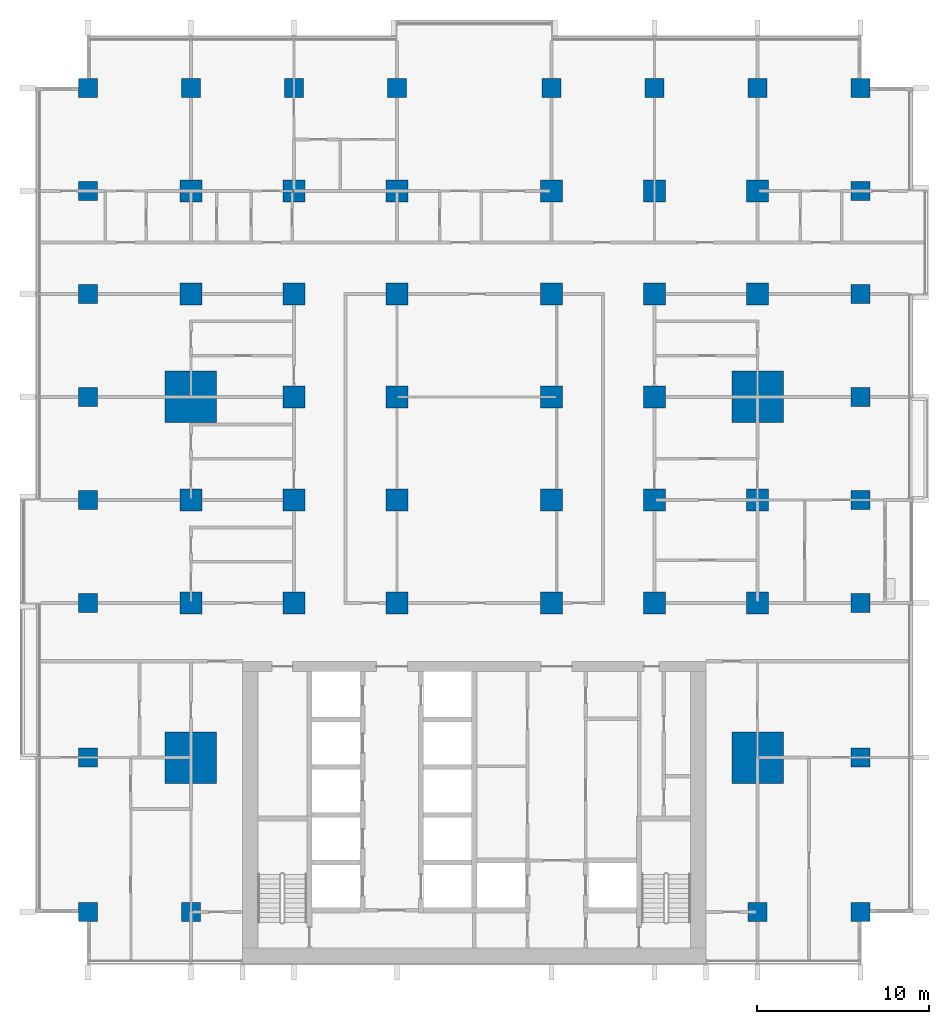
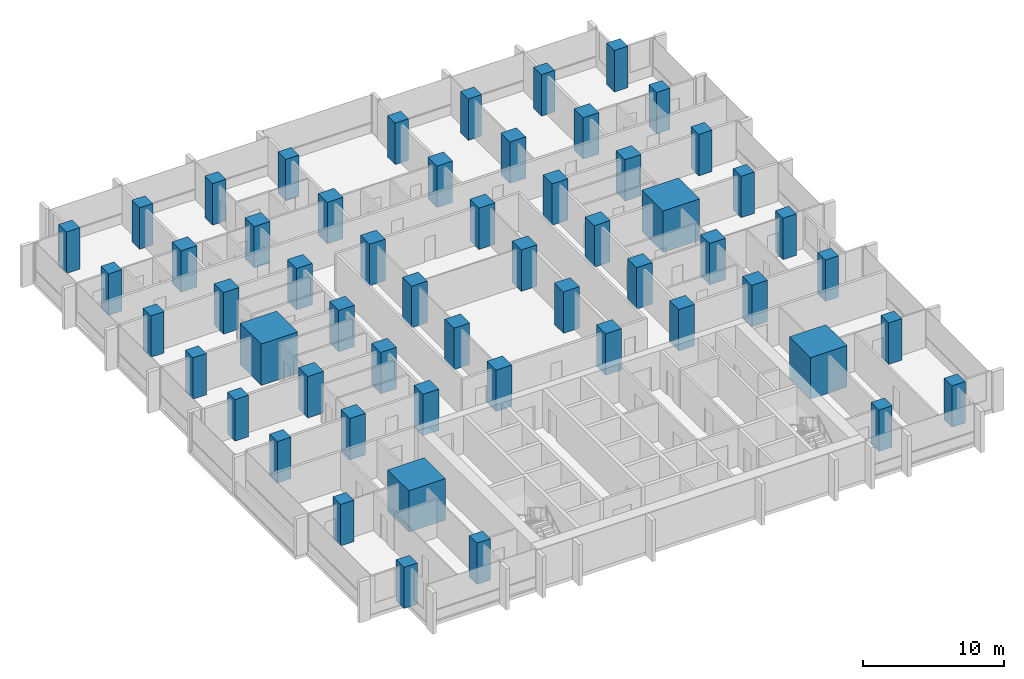
# One storey, part 1 of 17: 56 columns.
"""IFC4 building model written with IfcOpenShell, lengths in metres."""

from ifc_helpers import new_model, si_unit, direction, frame, origin, origin_2d, place, context, subcontext, project, spatial, rectangle, extrude, material, material_profile, profile_set, type_object, element, save


model = new_model("IFC4")

# Units and contexts
model_context = context("Model", 3, precision=1e-05, world=origin(), true_north=direction((0.0, 1.0)))
body_context = subcontext(model_context, "Body", "Model", "MODEL_VIEW")
ifc_project = project(units=[si_unit("LENGTHUNIT", "METRE"), si_unit("AREAUNIT", "SQUARE_METRE"), si_unit("VOLUMEUNIT", "CUBIC_METRE"), si_unit("PLANEANGLEUNIT", "RADIAN"), si_unit("MASSUNIT", "GRAM", prefix="KILO")], contexts=[model_context])

# Site, building, storey
site_placement = place(None, origin())
site = spatial("IfcSite", under=ifc_project, at=site_placement, CompositionType="ELEMENT")
building_placement = place(site_placement, origin())
building = spatial("IfcBuilding", under=site, at=building_placement, Name="Finial Court Residences", CompositionType="ELEMENT")
storey_placement = place(building_placement, frame((0.0, 0.0, 64.89990234375)))
storey = spatial("IfcBuildingStorey", under=building, at=storey_placement, Name="L15", CompositionType="ELEMENT", Elevation=64.89990234375)

# Columns
ifc_material = material(Name="Concrete C80/95", Category="concrete")
ifc_material_profile_1 = material_profile(ifc_material, rectangle(XDim=1.300048828125, YDim=1.300048828125, at=origin_2d()), Name="1300x1300")
ifc_profile_set_1 = profile_set([ifc_material_profile_1], Name="Concrete C80/95")
column_type_1 = type_object("IfcColumnType", Name="Interior column 1300x1300 Concrete C80/95", PredefinedType="COLUMN", material=ifc_profile_set_1)
for number, where, z_axis, x_axis, name in (
    (1, (-16.5, -4.5, 0.0), (0.0, 0.0, 1.0), (1.0, 0.0, 0.0), "S:COL:L15:C4"),
    (2, (-16.5, 1.5, 0.0), (0.0, 0.0, 1.0), (1.0, 0.0, 0.0), "S:COL:L15:C5"),
    (3, (-16.5, 13.5, 0.0), (0.0, 0.0, 1.0), (1.0, 0.0, 0.0), "S:COL:L15:C7"),
    (4, (-16.5, 19.5, 0.0), (0.0, 0.0, 1.0), (1.0, 0.0, 0.0), "S:COL:L15:C8"),
    (5, (-10.5, -4.5, 0.0), (0.0, 0.0, 1.0), (1.0, 0.0, 0.0), "S:COL:L15:D4"),
    (6, (-10.5, 1.5, 0.0), (0.0, 0.0, 1.0), (1.0, 0.0, 0.0), "S:COL:L15:D5"),
    (7, (-10.5, 7.5, 0.0), (0.0, 0.0, 1.0), (1.0, 0.0, 0.0), "S:COL:L15:D6"),
    (8, (-10.5, 13.5, 0.0), (0.0, 0.0, 1.0), (1.0, 0.0, 0.0), "S:COL:L15:D7"),
    (9, (-10.5, 19.5, 0.0), (0.0, 0.0, 1.0), (1.0, 0.0, 0.0), "S:COL:L15:D8"),
    (10, (-4.5, -4.5, 0.0), (0.0, 0.0, 1.0), (1.0, 0.0, 0.0), "S:COL:L15:E4"),
    (11, (-4.5, 1.5, 0.0), (0.0, 0.0, 1.0), (1.0, 0.0, 0.0), "S:COL:L15:E5"),
    (12, (-4.5, 7.5, 0.0), (0.0, 0.0, 1.0), (1.0, 0.0, 0.0), "S:COL:L15:E6"),
    (13, (-4.5, 13.5, 0.0), (0.0, 0.0, 1.0), (1.0, 0.0, 0.0), "S:COL:L15:E7"),
    (14, (-4.5, 19.5, 0.0), (0.0, 0.0, 1.0), (1.0, 0.0, 0.0), "S:COL:L15:E8"),
    (15, (4.5, -4.5, 0.0), (0.0, 0.0, 1.0), (1.0, 0.0, 0.0), "S:COL:L15:F4"),
    (16, (4.5, 1.5, 0.0), (0.0, 0.0, 1.0), (1.0, 0.0, 0.0), "S:COL:L15:F5"),
    (17, (4.5, 7.5, 0.0), (0.0, 0.0, 1.0), (1.0, 0.0, 0.0), "S:COL:L15:F6"),
    (18, (4.5, 13.5, 0.0), (0.0, 0.0, 1.0), (1.0, 0.0, 0.0), "S:COL:L15:F7"),
    (19, (4.5, 19.5, 0.0), (0.0, 0.0, 1.0), (1.0, 0.0, 0.0), "S:COL:L15:F8"),
    (20, (10.5, -4.5, 0.0), (0.0, 0.0, 1.0), (1.0, 0.0, 0.0), "S:COL:L15:G4"),
    (21, (10.5, 1.5, 0.0), (0.0, 0.0, 1.0), (1.0, 0.0, 0.0), "S:COL:L15:G5"),
    (22, (10.5, 7.5, 0.0), (0.0, 0.0, 1.0), (1.0, 0.0, 0.0), "S:COL:L15:G6"),
    (23, (10.5, 13.5, 0.0), (0.0, 0.0, 1.0), (1.0, 0.0, 0.0), "S:COL:L15:G7"),
    (24, (10.5, 19.5, 0.0), (0.0, 0.0, 1.0), (1.0, 0.0, 0.0), "S:COL:L15:G8"),
    (25, (16.5, -4.5, 0.0), (0.0, 0.0, 1.0), (1.0, 0.0, 0.0), "S:COL:L15:H4"),
    (26, (16.5, 1.5, 0.0), (0.0, 0.0, 1.0), (1.0, 0.0, 0.0), "S:COL:L15:H5"),
    (27, (16.5, 13.5, 0.0), (0.0, 0.0, 1.0), (1.0, 0.0, 0.0), "S:COL:L15:H7"),
    (28, (16.5, 19.5, 0.0), (0.0, 0.0, 1.0), (1.0, 0.0, 0.0), "S:COL:L15:H8"),
):
    element("IfcColumn", number, at=place(storey_placement, frame(where, z_axis=z_axis, x_axis=x_axis)), inside=storey, type_object=column_type_1, Name=name, PredefinedType="COLUMN", context=body_context, shape_type="SweptSolid", body=[
        extrude(rectangle(XDim=1.300048828125, YDim=1.300048828125, at=origin_2d()), origin(), (0.0, 0.0, 1.0), 3.60009765625),
    ])
ifc_material_profile_2 = material_profile(ifc_material, rectangle(XDim=3.0, YDim=3.0, at=origin_2d()), Name="3000x3000")
ifc_profile_set_2 = profile_set([ifc_material_profile_2], Name="Concrete C80/95")
column_type_2 = type_object("IfcColumnType", Name="Mega column 3000x3000 Concrete C80/95", PredefinedType="COLUMN", material=ifc_profile_set_2)
for number, where, z_axis, x_axis, name in (
    (29, (-16.5, -13.5, 0.0), (0.0, 0.0, 1.0), (1.0, 0.0, 0.0), "S:COL:L15:C3"),
    (30, (-16.5, 7.5, 0.0), (0.0, 0.0, 1.0), (1.0, 0.0, 0.0), "S:COL:L15:C6"),
    (31, (16.5, -13.5, 0.0), (0.0, 0.0, 1.0), (1.0, 0.0, 0.0), "S:COL:L15:H3"),
    (32, (16.5, 7.5, 0.0), (0.0, 0.0, 1.0), (1.0, 0.0, 0.0), "S:COL:L15:H6"),
):
    element("IfcColumn", number, at=place(storey_placement, frame(where, z_axis=z_axis, x_axis=x_axis)), inside=storey, type_object=column_type_2, Name=name, PredefinedType="COLUMN", context=body_context, shape_type="SweptSolid", body=[
        extrude(rectangle(XDim=3.0, YDim=3.0, at=origin_2d()), origin(), (0.0, 0.0, 1.0), 3.60009765625),
    ])
ifc_material_profile_3 = material_profile(ifc_material, rectangle(XDim=1.10009765625, YDim=1.10009765625, at=origin_2d()), Name="1100x1100")
ifc_profile_set_3 = profile_set([ifc_material_profile_3], Name="Concrete C80/95")
column_type_3 = type_object("IfcColumnType", Name="Perimeter column 1100x1100 Concrete C80/95", PredefinedType="COLUMN", material=ifc_profile_set_3)
for number, where, z_axis, x_axis, name in (
    (33, (-22.5, -22.5, 0.0), (0.0, 0.0, 1.0), (1.0, 0.0, 0.0), "S:COL:L15:B2"),
    (34, (-22.5, -13.5, 0.0), (0.0, 0.0, 1.0), (1.0, 0.0, 0.0), "S:COL:L15:B3"),
    (35, (-22.5, -4.5, 0.0), (0.0, 0.0, 1.0), (1.0, 0.0, 0.0), "S:COL:L15:B4"),
    (36, (-22.5, 1.5, 0.0), (0.0, 0.0, 1.0), (1.0, 0.0, 0.0), "S:COL:L15:B5"),
    (37, (-22.5, 7.5, 0.0), (0.0, 0.0, 1.0), (1.0, 0.0, 0.0), "S:COL:L15:B6"),
    (38, (-22.5, 13.5, 0.0), (0.0, 0.0, 1.0), (1.0, 0.0, 0.0), "S:COL:L15:B7"),
    (39, (-22.5, 19.5, 0.0), (0.0, 0.0, 1.0), (1.0, 0.0, 0.0), "S:COL:L15:B8"),
    (40, (-22.5, 25.5, 0.0), (0.0, 0.0, 1.0), (1.0, 0.0, 0.0), "S:COL:L15:B9"),
    (41, (-16.5, -22.5, 0.0), (0.0, 0.0, 1.0), (1.0, 0.0, 0.0), "S:COL:L15:C2"),
    (42, (-16.5, 25.5, 0.0), (0.0, 0.0, 1.0), (1.0, 0.0, 0.0), "S:COL:L15:C9"),
    (43, (-10.5, 25.5, 0.0), (0.0, 0.0, 1.0), (1.0, 0.0, 0.0), "S:COL:L15:D9"),
    (44, (-4.5, 25.5, 0.0), (0.0, 0.0, 1.0), (1.0, 0.0, 0.0), "S:COL:L15:E9"),
    (45, (4.5, 25.5, 0.0), (0.0, 0.0, 1.0), (1.0, 0.0, 0.0), "S:COL:L15:F9"),
    (46, (10.5, 25.5, 0.0), (0.0, 0.0, 1.0), (1.0, 0.0, 0.0), "S:COL:L15:G9"),
    (47, (16.5, -22.5, 0.0), (0.0, 0.0, 1.0), (1.0, 0.0, 0.0), "S:COL:L15:H2"),
    (48, (16.5, 25.5, 0.0), (0.0, 0.0, 1.0), (1.0, 0.0, 0.0), "S:COL:L15:H9"),
    (49, (22.5, -22.5, 0.0), (0.0, 0.0, 1.0), (1.0, 0.0, 0.0), "S:COL:L15:I2"),
    (50, (22.5, -13.5, 0.0), (0.0, 0.0, 1.0), (1.0, 0.0, 0.0), "S:COL:L15:I3"),
    (51, (22.5, -4.5, 0.0), (0.0, 0.0, 1.0), (1.0, 0.0, 0.0), "S:COL:L15:I4"),
    (52, (22.5, 1.5, 0.0), (0.0, 0.0, 1.0), (1.0, 0.0, 0.0), "S:COL:L15:I5"),
    (53, (22.5, 7.5, 0.0), (0.0, 0.0, 1.0), (1.0, 0.0, 0.0), "S:COL:L15:I6"),
    (54, (22.5, 13.5, 0.0), (0.0, 0.0, 1.0), (1.0, 0.0, 0.0), "S:COL:L15:I7"),
    (55, (22.5, 19.5, 0.0), (0.0, 0.0, 1.0), (1.0, 0.0, 0.0), "S:COL:L15:I8"),
    (56, (22.5, 25.5, 0.0), (0.0, 0.0, 1.0), (1.0, 0.0, 0.0), "S:COL:L15:I9"),
):
    element("IfcColumn", number, at=place(storey_placement, frame(where, z_axis=z_axis, x_axis=x_axis)), inside=storey, type_object=column_type_3, Name=name, PredefinedType="COLUMN", context=body_context, shape_type="SweptSolid", body=[
        extrude(rectangle(XDim=1.10009765625, YDim=1.10009765625, at=origin_2d()), origin(), (0.0, 0.0, 1.0), 3.60009765625),
    ])

save(model, "model.ifc")
